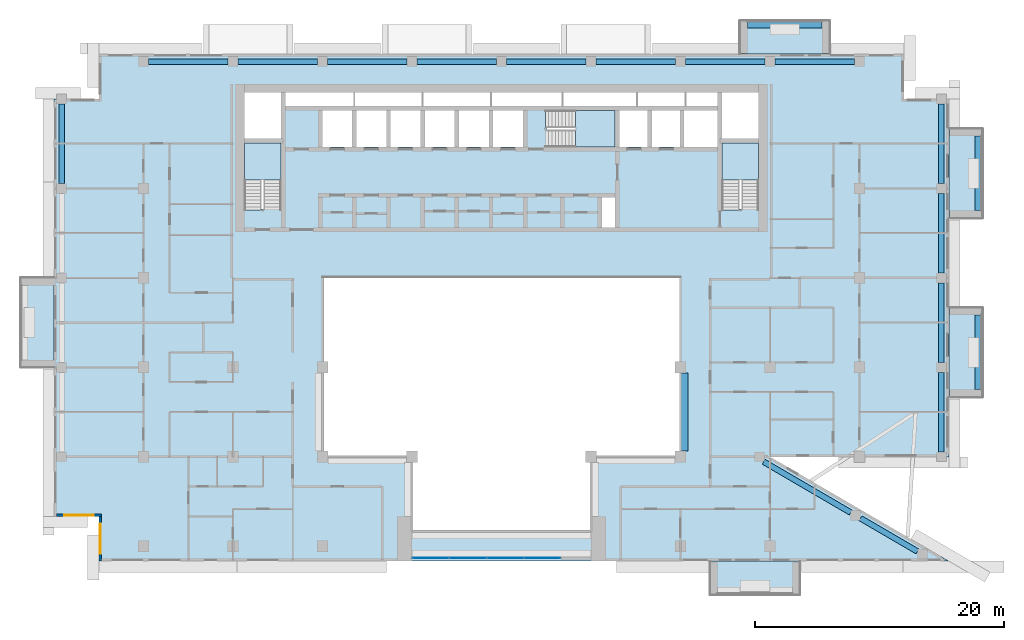
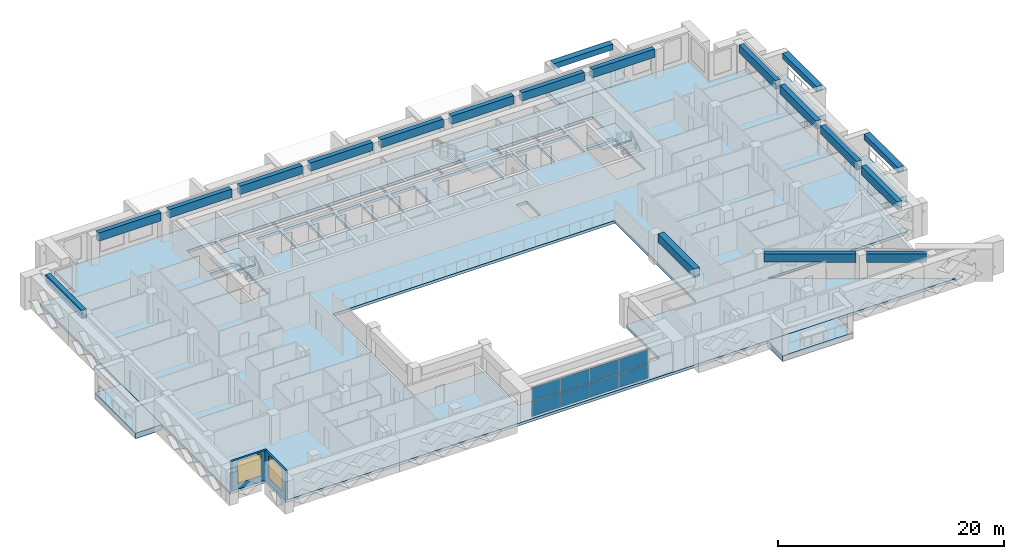
# One storey, part 5 of 20: 19 beams, 9 slabs, 8 plates, 2 walls, 2 windows, 2 openings, 4 elements without a shape of their own.
"""IFC4 building model written with IfcOpenShell, lengths in metres."""

from ifc_helpers import new_model, si_unit, direction, frame, frame_2d, origin, origin_2d, place, context, subcontext, project, spatial, polyline, rectangle, outline, extrude, source, transform, mapped, material, layer, layer_set, material_profile, profile_set, type_object, element, fill, aggregate, save


model = new_model("IFC4")

# Units and contexts
model_context = context("Model", 3, precision=1e-05, world=origin(), true_north=direction((0.0, 1.0)))
body_context = subcontext(model_context, "Body", "Model", "MODEL_VIEW")
ifc_project = project(units=[si_unit("LENGTHUNIT", "METRE"), si_unit("AREAUNIT", "SQUARE_METRE"), si_unit("VOLUMEUNIT", "CUBIC_METRE"), si_unit("PLANEANGLEUNIT", "RADIAN"), si_unit("MASSUNIT", "GRAM", prefix="KILO")], contexts=[model_context])

# Site, building, storey
site_placement = place(None, origin())
site = spatial("IfcSite", under=ifc_project, at=site_placement, CompositionType="ELEMENT")
building_placement = place(site_placement, origin())
building = spatial("IfcBuilding", under=site, at=building_placement, Name="Saffron Iwan Residences", CompositionType="ELEMENT")
storey_placement = place(building_placement, frame((0.0, 0.0, 185.0)))
storey = spatial("IfcBuildingStorey", under=building, at=storey_placement, Name="L49", CompositionType="ELEMENT", Elevation=185.0)

# Beams
ifc_material_1 = material(Name="Concrete C50/60", Category="concrete")
ifc_material_profile_1 = material_profile(ifc_material_1, rectangle(XDim=0.449951171875, YDim=0.89990234375, at=origin_2d()), Name="RC 450x900")
ifc_profile_set_1 = profile_set([ifc_material_profile_1], Name="Concrete C50/60")
beam_type_1 = type_object("IfcBeamType", Name="SPANDREL BEAM RC 450x900 C50/60 TOP 3200", PredefinedType="SPANDREL", material=ifc_profile_set_1)
shared_shape_1 = source(origin(), body_context, "Body", "SweptSolid", [
    extrude(rectangle(XDim=0.449951171875, YDim=0.89990234375, at=origin_2d()), origin(), (0.0, 0.0, 1.0), 5.300537109375),
])
beam_1_placement = place(storey_placement, frame((79.297607421875, 43.04833984375, 2.75), z_axis=(0.86379560586, -0.503842387357, 0.0), x_axis=(0.503842387357, 0.86379560586, 0.0)))
element("IfcBeam", 1, at=beam_1_placement, inside=storey, type_object=beam_type_1, Name="Spandrel beam", PredefinedType="SPANDREL", context=body_context, shape_type="MappedRepresentation", body=[
    mapped(shared_shape_1, transform((0.0, 0.0, 0.0))),
])
shared_shape_2 = source(origin(), body_context, "Body", "SweptSolid", [
    extrude(rectangle(XDim=0.449951171875, YDim=0.89990234375, at=origin_2d()), origin(), (0.0, 0.0, 1.0), 8.107177734375),
])
beam_2_placement = place(storey_placement, frame((71.494873046875, 47.60009765625, 2.75), z_axis=(0.863783269703, -0.503863536071, 0.0), x_axis=(0.503863536071, 0.863783269703, 0.0)))
element("IfcBeam", 2, at=beam_2_placement, inside=storey, type_object=beam_type_1, Name="Spandrel beam", PredefinedType="SPANDREL", context=body_context, shape_type="MappedRepresentation", body=[
    mapped(shared_shape_2, transform((0.0, 0.0, 0.0))),
])
shared_shape_3 = source(origin(), body_context, "Body", "SweptSolid", [
    extrude(rectangle(XDim=0.449951171875, YDim=0.89990234375, at=origin_2d()), origin(), (0.0, 0.0, 1.0), 6.400146484375),
])
for number, where, z_axis, x_axis, name in (
    (3, (85.800048828125, 54.800048828125, 2.75), (0.0, -1.0, 0.0), (1.0, 0.0, 0.0), "Spandrel beam"),
    (4, (29.199951171875, 79.800048828125, 2.75), (1.0, 0.0, 0.0), (0.0, 1.0, 0.0), "Spandrel beam"),
    (5, (36.39990234375, 79.800048828125, 2.75), (1.0, 0.0, 0.0), (0.0, 1.0, 0.0), "Spandrel beam"),
    (6, (65.199951171875, 79.800048828125, 2.75), (1.0, 0.0, 0.0), (0.0, 1.0, 0.0), "Spandrel beam"),
    (7, (72.39990234375, 79.800048828125, 2.75), (1.0, 0.0, 0.0), (0.0, 1.0, 0.0), "Spandrel beam"),
):
    element("IfcBeam", number, at=place(storey_placement, frame(where, z_axis=z_axis, x_axis=x_axis)), inside=storey, type_object=beam_type_1, Name=name, PredefinedType="SPANDREL", context=body_context, shape_type="MappedRepresentation", body=[
        mapped(shared_shape_3, transform((0.0, 0.0, 0.0))),
    ])
shared_shape_4 = source(origin(), body_context, "Body", "SweptSolid", [
    extrude(rectangle(XDim=0.449951171875, YDim=0.89990234375, at=origin_2d()), origin(), (0.0, 0.0, 1.0), 6.39990234375),
])
for number, where, z_axis, x_axis, name in (
    (8, (85.800048828125, 62.0, 2.75), (0.0, -1.0, 0.0), (1.0, 0.0, 0.0), "Spandrel beam"),
    (9, (85.800048828125, 69.199951171875, 2.75), (0.0, -1.0, 0.0), (1.0, 0.0, 0.0), "Spandrel beam"),
    (10, (15.0, 70.0, 2.75), (0.0, 1.0, 0.0), (-1.0, 0.0, 0.0), "Spandrel beam"),
    (11, (85.800048828125, 76.39990234375, 2.75), (0.0, -1.0, 0.0), (1.0, 0.0, 0.0), "Spandrel beam"),
    (12, (22.0, 79.800048828125, 2.75), (1.0, 0.0, 0.0), (0.0, 1.0, 0.0), "Spandrel beam"),
    (13, (43.60009765625, 79.800048828125, 2.75), (1.0, 0.0, 0.0), (0.0, 1.0, 0.0), "Spandrel beam"),
    (14, (50.800048828125, 79.800048828125, 2.75), (1.0, 0.0, 0.0), (0.0, 1.0, 0.0), "Spandrel beam"),
    (15, (58.0, 79.800048828125, 2.75), (1.0, 0.0, 0.0), (0.0, 1.0, 0.0), "Spandrel beam"),
):
    element("IfcBeam", number, at=place(storey_placement, frame(where, z_axis=z_axis, x_axis=x_axis)), inside=storey, type_object=beam_type_1, Name=name, PredefinedType="SPANDREL", context=body_context, shape_type="MappedRepresentation", body=[
        mapped(shared_shape_4, transform((0.0, 0.0, 0.0))),
    ])
ifc_material_profile_2 = material_profile(ifc_material_1, rectangle(XDim=0.60009765625, YDim=0.89990234375, at=origin_2d()), Name="RC 600x900")
ifc_profile_set_2 = profile_set([ifc_material_profile_2], Name="Concrete C50/60")
beam_type_2 = type_object("IfcBeamType", Name="BEAM RC 600x900 C50/60 TOP 3200", PredefinedType="BEAM", material=ifc_profile_set_2)
shared_shape_5 = source(origin(), body_context, "Body", "SweptSolid", [
    extrude(rectangle(XDim=0.60009765625, YDim=0.89990234375, at=origin_2d()), origin(), (0.0, 0.0, 1.0), 6.300048828125),
])
beam_3_placement = place(storey_placement, frame((65.10009765625, 54.75, 2.75), z_axis=(0.0, -1.0, 0.0), x_axis=(1.0, 0.0, 0.0)))
element("IfcBeam", 16, at=beam_3_placement, inside=storey, type_object=beam_type_2, Name="Atrium edge beam", PredefinedType="BEAM", context=body_context, shape_type="MappedRepresentation", body=[
    mapped(shared_shape_5, transform((0.0, 0.0, 0.0))),
])
ifc_material_2 = material(Name="Concrete C50/60 white painted", Category="concrete")
ifc_material_profile_3 = material_profile(ifc_material_2, rectangle(XDim=0.60009765625, YDim=0.60009765625, at=origin_2d()), Name="BALCONY FASCIA BEAM 600 x 600")
ifc_profile_set_3 = profile_set([ifc_material_profile_3], Name="Concrete C50/60 white painted")
beam_type_3 = type_object("IfcBeamType", Name="BALCONY FASCIA BEAM 600 x 600", PredefinedType="BEAM", material=ifc_profile_set_3)
shared_shape_6 = source(origin(), body_context, "Body", "SweptSolid", [
    extrude(rectangle(XDim=0.60009765625, YDim=0.60009765625, at=origin_2d()), origin(), (0.0, 0.0, 1.0), 6.0),
])
for number, where, z_axis, x_axis, name in (
    (17, (88.800048828125, 53.39990234375, 2.550048828125), (0.0, 1.0, 0.0), (-1.0, 0.0, 0.0), "Balcony fascia beam L49 F2-0"),
    (18, (88.800048828125, 67.800048828125, 2.550048828125), (0.0, 1.0, 0.0), (-1.0, 0.0, 0.0), "Balcony fascia beam L49 F2-1"),
    (19, (76.199951171875, 82.800048828125, 2.550048828125), (-1.0, 0.0, 0.0), (0.0, -1.0, 0.0), "Balcony fascia beam L49 F5-0"),
):
    element("IfcBeam", number, at=place(storey_placement, frame(where, z_axis=z_axis, x_axis=x_axis)), inside=storey, type_object=beam_type_3, Name=name, PredefinedType="BEAM", context=body_context, shape_type="MappedRepresentation", body=[
        mapped(shared_shape_6, transform((0.0, 0.0, 0.0))),
    ])

# Slabs
ifc_layer_1 = layer(ifc_material_2, 0.60009765625)
ifc_layer_set_1 = layer_set([ifc_layer_1], Name="Concrete C50/60 white painted")
slab_type_1 = type_object("IfcSlabType", Name="BALCONY FRAME SLAB 600", PredefinedType="FLOOR", material=ifc_layer_set_1)
slab_1_placement = place(storey_placement, frame((0.0, 0.0, -0.60009765625)))
element("IfcSlab", 20, at=slab_1_placement, inside=storey, type_object=slab_type_1, Name="Balcony frame slab L49 F2-0", PredefinedType="FLOOR", context=body_context, shape_type="SweptSolid", body=[
    extrude(outline(polyline([(89.10009765625, 52.800048828125), (89.10009765625, 60.0), (86.39990234375, 60.0), (86.39990234375, 52.800048828125), (89.10009765625, 52.800048828125)])), origin(), (0.0, 0.0, 1.0), 0.60009765625),
])
slab_2_placement = place(storey_placement, frame((0.0, 0.0, -0.60009765625)))
element("IfcSlab", 21, at=slab_2_placement, inside=storey, type_object=slab_type_1, Name="Balcony frame slab L49 F2-1", PredefinedType="FLOOR", context=body_context, shape_type="SweptSolid", body=[
    extrude(outline(polyline([(89.10009765625, 67.199951171875), (89.10009765625, 74.39990234375), (86.39990234375, 74.39990234375), (86.39990234375, 67.199951171875), (89.10009765625, 67.199951171875)])), origin(), (0.0, 0.0, 1.0), 0.60009765625),
])
slab_3_placement = place(storey_placement, frame((0.0, 0.0, -0.60009765625)))
element("IfcSlab", 22, at=slab_3_placement, inside=storey, type_object=slab_type_1, Name="Balcony frame slab L49 F5-0", PredefinedType="FLOOR", context=body_context, shape_type="SweptSolid", body=[
    extrude(outline(polyline([(76.800048828125, 83.10009765625), (69.60009765625, 83.10009765625), (69.60009765625, 80.39990234375), (76.800048828125, 80.39990234375), (76.800048828125, 83.10009765625)])), origin(), (0.0, 0.0, 1.0), 0.60009765625),
])
slab_4_placement = place(storey_placement, frame((0.0, 0.0, -0.60009765625)))
element("IfcSlab", 23, at=slab_4_placement, inside=storey, type_object=slab_type_1, Name="Balcony frame slab L49 F8-0", PredefinedType="FLOOR", context=body_context, shape_type="SweptSolid", body=[
    extrude(outline(polyline([(11.699951171875, 62.39990234375), (11.699951171875, 55.199951171875), (14.39990234375, 55.199951171875), (14.39990234375, 62.39990234375), (11.699951171875, 62.39990234375)])), origin(), (0.0, 0.0, 1.0), 0.60009765625),
])
slab_5_placement = place(storey_placement, frame((0.0, 0.0, -0.60009765625)))
element("IfcSlab", 24, at=slab_5_placement, inside=storey, type_object=slab_type_1, Name="Balcony frame slab L49 11-1", PredefinedType="FLOOR", context=body_context, shape_type="SweptSolid", body=[
    extrude(outline(polyline([(67.199951171875, 36.89990234375), (74.39990234375, 36.89990234375), (74.39990234375, 39.60009765625), (67.199951171875, 39.60009765625), (67.199951171875, 36.89990234375)])), origin(), (0.0, 0.0, 1.0), 0.60009765625),
])
ifc_material_3 = material(Name="Concrete C40/50", Category="concrete")
ifc_layer_2 = layer(ifc_material_3, 0.300048828125)
ifc_layer_set_2 = layer_set([ifc_layer_2], Name="Concrete C40/50")
slab_type_2 = type_object("IfcSlabType", Name="PT PLATE 300 C40/50", PredefinedType="FLOOR", material=ifc_layer_set_2)
slab_6_placement = place(storey_placement, frame((0.0, 0.0, -0.300048828125)))
element("IfcSlab", 25, at=slab_6_placement, inside=storey, type_object=slab_type_2, Name="Floor slab L49", PredefinedType="FLOOR", context=body_context, shape_type="SweptSolid", body=[
    extrude(outline(polyline([(14.39990234375, 43.199951171875), (14.39990234375, 76.800048828125), (18.0, 76.800048828125), (18.0, 80.39990234375), (82.800048828125, 80.39990234375), (82.800048828125, 76.800048828125), (86.39990234375, 76.800048828125), (86.39990234375, 48.0), (72.0, 48.0), (86.39990234375, 39.60009765625), (18.0, 39.60009765625), (18.0, 43.199951171875), (14.39990234375, 43.199951171875)]), holes=[polyline([(64.800048828125, 48.0), (64.800048828125, 62.39990234375), (36.0, 62.39990234375), (36.0, 48.0), (43.199951171875, 48.0), (43.199951171875, 42.0), (57.60009765625, 42.0), (57.60009765625, 48.0), (64.800048828125, 48.0)]), polyline([(29.699951171875, 73.25), (29.699951171875, 67.949951171875), (29.699951171875, 67.8505859375), (31.10009765625, 67.8505859375), (31.10009765625, 67.949951171875), (32.64990234375, 67.949951171875), (32.64990234375, 73.25), (29.699951171875, 73.25)]), polyline([(38.375, 75.875), (35.97509765625, 75.875), (35.97509765625, 72.925048828125), (38.375, 72.925048828125), (38.375, 75.875)]), polyline([(41.125, 75.875), (38.72509765625, 75.875), (38.72509765625, 72.925048828125), (41.125, 72.925048828125), (41.125, 75.875)]), polyline([(43.875, 72.925048828125), (43.875, 75.875), (41.47509765625, 75.875), (41.47509765625, 72.925048828125), (43.875, 72.925048828125)]), polyline([(46.625, 72.925048828125), (46.625, 75.875), (44.22509765625, 75.875), (44.22509765625, 72.925048828125), (46.625, 72.925048828125)]), polyline([(49.375, 75.875), (46.97509765625, 75.875), (46.97509765625, 72.925048828125), (49.375, 72.925048828125), (49.375, 75.875)]), polyline([(52.125, 72.925048828125), (52.125, 75.875), (49.72509765625, 75.875), (49.72509765625, 72.925048828125), (52.125, 72.925048828125)]), polyline([(32.64990234375, 73.60009765625), (32.64990234375, 77.300048828125), (29.699951171875, 77.300048828125), (29.699951171875, 73.60009765625), (32.64990234375, 73.60009765625)]), polyline([(38.5, 77.300048828125), (33.0, 77.300048828125), (33.0, 76.22509765625), (38.5, 76.22509765625), (38.5, 77.300048828125)]), polyline([(44.0, 76.22509765625), (44.0, 77.300048828125), (38.60009765625, 77.300048828125), (38.60009765625, 76.22509765625), (44.0, 76.22509765625)]), polyline([(49.5, 76.22509765625), (49.5, 77.300048828125), (44.10009765625, 77.300048828125), (44.10009765625, 76.22509765625), (49.5, 76.22509765625)]), polyline([(59.550048828125, 68.875), (58.47509765625, 68.875), (58.47509765625, 66.449951171875), (59.550048828125, 66.449951171875), (59.550048828125, 68.875)]), polyline([(68.14990234375, 73.25), (68.14990234375, 67.949951171875), (68.14990234375, 67.8505859375), (69.550048828125, 67.8505859375), (69.550048828125, 67.949951171875), (71.10009765625, 67.949951171875), (71.10009765625, 73.25), (68.14990234375, 73.25)]), polyline([(54.02490234375, 74.47509765625), (54.02490234375, 72.925048828125), (59.550048828125, 72.925048828125), (59.550048828125, 75.875), (54.02490234375, 75.875), (53.925537109375, 75.875), (53.925537109375, 74.47509765625), (54.02490234375, 74.47509765625)]), polyline([(62.14990234375, 72.925048828125), (62.14990234375, 75.875), (59.89990234375, 75.875), (59.89990234375, 72.925048828125), (62.14990234375, 72.925048828125)]), polyline([(64.75, 72.925048828125), (64.75, 75.875), (62.5, 75.875), (62.5, 72.925048828125), (64.75, 72.925048828125)]), polyline([(67.800048828125, 75.875), (65.10009765625, 75.875), (65.10009765625, 72.925048828125), (67.800048828125, 72.925048828125), (67.800048828125, 75.875)]), polyline([(71.10009765625, 73.60009765625), (71.10009765625, 77.300048828125), (68.14990234375, 77.300048828125), (68.14990234375, 73.60009765625), (71.10009765625, 73.60009765625)]), polyline([(55.25, 76.22509765625), (55.25, 77.300048828125), (49.60009765625, 77.300048828125), (49.60009765625, 76.22509765625), (55.25, 76.22509765625)]), polyline([(61.25, 77.300048828125), (55.35009765625, 77.300048828125), (55.35009765625, 76.22509765625), (61.25, 76.22509765625), (61.25, 77.300048828125)]), polyline([(65.14990234375, 76.22509765625), (65.14990234375, 77.300048828125), (61.35009765625, 77.300048828125), (61.35009765625, 76.22509765625), (65.14990234375, 76.22509765625)]), polyline([(67.800048828125, 76.22509765625), (67.800048828125, 77.300048828125), (65.25, 77.300048828125), (65.25, 76.22509765625), (67.800048828125, 76.22509765625)])]), origin(), (0.0, 0.0, 1.0), 0.300048828125),
])

# Stair, slab
stair_type = type_object("IfcStairType", Name="Stair ST-CORE", PredefinedType="HALF_TURN_STAIR", material=ifc_material_1)
stair_1_placement = place(storey_placement, origin())
stair_1 = element("IfcStair", 26, at=stair_1_placement, inside=storey, type_object=stair_type, Name="L49 Exit Stair ST-W", PredefinedType="HALF_TURN_STAIR")
ifc_layer_3 = layer(ifc_material_1, 0.199951171875)
ifc_layer_set_3 = layer_set([ifc_layer_3], Name="Concrete C50/60")
slab_type_3 = type_object("IfcSlabType", Name="Stair landing SL-RC", PredefinedType="LANDING", material=ifc_layer_set_3)
slab_7_placement = place(storey_placement, frame((0.0, 0.0, 1.5498046875)))
slab_7 = element("IfcSlab", 27, at=slab_7_placement, type_object=slab_type_3, Name="ST-W landing 1", PredefinedType="LANDING", context=body_context, shape_type="SweptSolid", body=[
    extrude(outline(polyline([(32.64990234375, 70.280029296875), (32.64990234375, 73.25), (29.699951171875, 73.25), (29.699951171875, 70.280029296875), (32.64990234375, 70.280029296875)])), origin(), (0.0, 0.0, 1.0), 0.2001953125),
])
aggregate(stair_1, [slab_7])

stair_2_placement = place(storey_placement, origin())
stair_2 = element("IfcStair", 28, at=stair_2_placement, inside=storey, type_object=stair_type, Name="L49 Exit Stair ST-C", PredefinedType="HALF_TURN_STAIR")
slab_8_placement = place(storey_placement, frame((0.0, 0.0, 1.5498046875)))
slab_8 = element("IfcSlab", 29, at=slab_8_placement, type_object=slab_type_3, Name="ST-C landing 1", PredefinedType="LANDING", context=body_context, shape_type="SweptSolid", body=[
    extrude(outline(polyline([(56.35498046875, 72.925048828125), (59.550048828125, 72.925048828125), (59.550048828125, 75.875), (56.35498046875, 75.875), (56.35498046875, 72.925048828125)])), origin(), (0.0, 0.0, 1.0), 0.2001953125),
])
aggregate(stair_2, [slab_8])

stair_3_placement = place(storey_placement, origin())
stair_3 = element("IfcStair", 30, at=stair_3_placement, inside=storey, type_object=stair_type, Name="L49 Exit Stair ST-E", PredefinedType="HALF_TURN_STAIR")
slab_9_placement = place(storey_placement, frame((0.0, 0.0, 1.5498046875)))
slab_9 = element("IfcSlab", 31, at=slab_9_placement, type_object=slab_type_3, Name="ST-E landing 1", PredefinedType="LANDING", context=body_context, shape_type="SweptSolid", body=[
    extrude(outline(polyline([(71.10009765625, 70.280029296875), (71.10009765625, 73.25), (68.14990234375, 73.25), (68.14990234375, 70.280029296875), (71.10009765625, 70.280029296875)])), origin(), (0.0, 0.0, 1.0), 0.2001953125),
])
aggregate(stair_3, [slab_9])

# Curtain wall, plates
ifc_material_4 = material(Name="Clear glass, laminated double glazed", Category="glass")
ifc_layer_4 = layer(ifc_material_4, 0.199951171875)
ifc_layer_set_4 = layer_set([ifc_layer_4], Name="Clear glass, laminated double glazed")
curtain_wall_type = type_object("IfcCurtainWallType", Name="CW-B IWAN PORTAL", PredefinedType="NOTDEFINED", material=ifc_layer_set_4)
curtain_wall_placement = place(storey_placement, origin())
curtain_wall = element("IfcCurtainWall", 32, at=curtain_wall_placement, inside=storey, type_object=curtain_wall_type, Name="Iwan portal glazing L49.1", PredefinedType="NOTDEFINED")
ifc_layer_5 = layer(ifc_material_4, 0.028076171875)
ifc_layer_set_5 = layer_set([ifc_layer_5], Name="Clear glass, laminated double glazed")
plate_type = type_object("IfcPlateType", Name="CW-B PANEL 28", PredefinedType="CURTAIN_PANEL", material=ifc_layer_set_5)
shared_shape_7 = source(origin(), body_context, "Body", "SweptSolid", [
    extrude(rectangle(XDim=2.909912109375, YDim=0.028076171875, at=origin_2d()), origin(), (0.0, 0.0, 1.0), 1.510009765625),
])
plate_1_placement = place(storey_placement, frame((44.715087890625, 39.85009765625, 0.06005859375), z_axis=(0.0, 0.0, 1.0), x_axis=(1.0, 0.0, 0.0)))
plate_1 = element("IfcPlate", 33, at=plate_1_placement, type_object=plate_type, Name="CW-B panel 1.1", PredefinedType="CURTAIN_PANEL", context=body_context, shape_type="MappedRepresentation", body=[
    mapped(shared_shape_7, transform((0.0, 0.0, 0.0))),
])
plate_2_placement = place(storey_placement, frame((44.715087890625, 39.85009765625, 1.6298828125), z_axis=(0.0, 0.0, 1.0), x_axis=(1.0, 0.0, 0.0)))
plate_2 = element("IfcPlate", 34, at=plate_2_placement, type_object=plate_type, Name="CW-B panel 1.2", PredefinedType="CURTAIN_PANEL", context=body_context, shape_type="MappedRepresentation", body=[
    mapped(shared_shape_7, transform((0.0, 0.0, 0.0))),
])
plate_3_placement = place(storey_placement, frame((53.68505859375, 39.85009765625, 0.06005859375), z_axis=(0.0, 0.0, 1.0), x_axis=(1.0, 0.0, 0.0)))
plate_3 = element("IfcPlate", 35, at=plate_3_placement, type_object=plate_type, Name="CW-B panel 4.1", PredefinedType="CURTAIN_PANEL", context=body_context, shape_type="MappedRepresentation", body=[
    mapped(shared_shape_7, transform((0.0, 0.0, 0.0))),
])
plate_4_placement = place(storey_placement, frame((53.68505859375, 39.85009765625, 1.6298828125), z_axis=(0.0, 0.0, 1.0), x_axis=(1.0, 0.0, 0.0)))
plate_4 = element("IfcPlate", 36, at=plate_4_placement, type_object=plate_type, Name="CW-B panel 4.2", PredefinedType="CURTAIN_PANEL", context=body_context, shape_type="MappedRepresentation", body=[
    mapped(shared_shape_7, transform((0.0, 0.0, 0.0))),
])
shared_shape_8 = source(origin(), body_context, "Body", "SweptSolid", [
    extrude(rectangle(XDim=2.93994140625, YDim=0.028076171875, at=origin_2d()), origin(), (0.0, 0.0, 1.0), 1.510009765625),
])
plate_5_placement = place(storey_placement, frame((47.699951171875, 39.85009765625, 0.06005859375), z_axis=(0.0, 0.0, 1.0), x_axis=(1.0, 0.0, 0.0)))
plate_5 = element("IfcPlate", 37, at=plate_5_placement, type_object=plate_type, Name="CW-B panel 2.1", PredefinedType="CURTAIN_PANEL", context=body_context, shape_type="MappedRepresentation", body=[
    mapped(shared_shape_8, transform((0.0, 0.0, 0.0))),
])
plate_6_placement = place(storey_placement, frame((47.699951171875, 39.85009765625, 1.6298828125), z_axis=(0.0, 0.0, 1.0), x_axis=(1.0, 0.0, 0.0)))
plate_6 = element("IfcPlate", 38, at=plate_6_placement, type_object=plate_type, Name="CW-B panel 2.2", PredefinedType="CURTAIN_PANEL", context=body_context, shape_type="MappedRepresentation", body=[
    mapped(shared_shape_8, transform((0.0, 0.0, 0.0))),
])
plate_7_placement = place(storey_placement, frame((50.699951171875, 39.85009765625, 0.06005859375), z_axis=(0.0, 0.0, 1.0), x_axis=(1.0, 0.0, 0.0)))
plate_7 = element("IfcPlate", 39, at=plate_7_placement, type_object=plate_type, Name="CW-B panel 3.1", PredefinedType="CURTAIN_PANEL", context=body_context, shape_type="MappedRepresentation", body=[
    mapped(shared_shape_8, transform((0.0, 0.0, 0.0))),
])
plate_8_placement = place(storey_placement, frame((50.699951171875, 39.85009765625, 1.6298828125), z_axis=(0.0, 0.0, 1.0), x_axis=(1.0, 0.0, 0.0)))
plate_8 = element("IfcPlate", 40, at=plate_8_placement, type_object=plate_type, Name="CW-B panel 3.2", PredefinedType="CURTAIN_PANEL", context=body_context, shape_type="MappedRepresentation", body=[
    mapped(shared_shape_8, transform((0.0, 0.0, 0.0))),
])
aggregate(curtain_wall, [plate_1, plate_2, plate_5, plate_6, plate_7, plate_8, plate_3, plate_4])

# Wall, opening, window
ifc_layer_6 = layer(ifc_material_3, 0.199951171875)
ifc_layer_set_6 = layer_set([ifc_layer_6], Name="Concrete C40/50")
wall_type = type_object("IfcWallType", Name="EXTERNAL WALL 200", PredefinedType="SOLIDWALL", material=ifc_layer_set_6)
wall_1_placement = place(storey_placement, frame((14.60009765625, 43.300048828125, 0.0), z_axis=(0.0, 0.0, 1.0), x_axis=(1.0, 0.0, 0.0)))
wall_1 = element("IfcWall", 41, at=wall_1_placement, inside=storey, type_object=wall_type, Name="External wall L49 F9.0", PredefinedType="SOLIDWALL", context=body_context, shape_type="SweptSolid", body=[
    extrude(rectangle(XDim=3.599853515625, YDim=0.199951171875, at=frame_2d((1.7998046875, 0.0))), origin(), (0.0, 0.0, 1.0), 3.199951171875),
])
opening_1_placement = place(wall_1_placement, frame((0.60009765625, 0.0, 0.60009765625)))
opening_1 = element("IfcOpeningElement", 42, at=opening_1_placement, cuts=wall_1, Name="Opening W1", PredefinedType="OPENING", context=body_context, shape_type="SweptSolid", body=[
    extrude(rectangle(XDim=2.39990234375, YDim=2.39990234375, at=frame_2d((1.199951171875, 1.199951171875))), frame((0.0, 0.10986328125, 0.0), z_axis=(0.0, -1.0, 0.0), x_axis=(1.0, 0.0, 0.0)), (0.0, 0.0, 1.0), 0.219970703125),
])
window_type = type_object("IfcWindowType", Name="WINDOW 2400 x 2400", PartitioningType="DOUBLE_PANEL_VERTICAL", PredefinedType="WINDOW", material=ifc_material_4)
window_1_placement = place(opening_1_placement, origin())
window_1 = element("IfcWindow", 43, at=window_1_placement, inside=storey, type_object=window_type, Name="Window L49 F9.0", OverallHeight=2.39990234375, OverallWidth=2.39990234375, PartitioningType="DOUBLE_PANEL_VERTICAL", PredefinedType="WINDOW", context=body_context, shape_type="SweptSolid", body=[
    extrude(rectangle(XDim=2.39990234375, YDim=2.39990234375, at=frame_2d((1.199951171875, 1.199951171875))), frame((0.0, 0.030029296875, 0.0), z_axis=(0.0, -1.0, 0.0), x_axis=(1.0, 0.0, 0.0)), (0.0, 0.0, 1.0), 0.06005859375),
])
fill(opening_1, window_1)

wall_2_placement = place(storey_placement, frame((18.10009765625, 43.199951171875, 0.0), z_axis=(0.0, 0.0, 1.0), x_axis=(0.0, -1.0, 0.0)))
wall_2 = element("IfcWall", 44, at=wall_2_placement, inside=storey, type_object=wall_type, Name="External wall L49 F10.0", PredefinedType="SOLIDWALL", context=body_context, shape_type="SweptSolid", body=[
    extrude(rectangle(XDim=3.599853515625, YDim=0.199951171875, at=frame_2d((1.7998046875, 0.0))), origin(), (0.0, 0.0, 1.0), 3.199951171875),
])
opening_2_placement = place(wall_2_placement, frame((0.60009765625, 0.0, 0.60009765625)))
opening_2 = element("IfcOpeningElement", 45, at=opening_2_placement, cuts=wall_2, Name="Opening W1", PredefinedType="OPENING", context=body_context, shape_type="SweptSolid", body=[
    extrude(rectangle(XDim=2.39990234375, YDim=2.39990234375, at=frame_2d((1.199951171875, 1.199951171875))), frame((0.0, 0.10986328125, 0.0), z_axis=(0.0, -1.0, 0.0), x_axis=(1.0, 0.0, 0.0)), (0.0, 0.0, 1.0), 0.219970703125),
])
window_2_placement = place(opening_2_placement, origin())
window_2 = element("IfcWindow", 46, at=window_2_placement, inside=storey, type_object=window_type, Name="Window L49 F10.0", OverallHeight=2.39990234375, OverallWidth=2.39990234375, PartitioningType="DOUBLE_PANEL_VERTICAL", PredefinedType="WINDOW", context=body_context, shape_type="SweptSolid", body=[
    extrude(rectangle(XDim=2.39990234375, YDim=2.39990234375, at=frame_2d((1.199951171875, 1.199951171875))), frame((0.0, 0.030029296875, 0.0), z_axis=(0.0, -1.0, 0.0), x_axis=(1.0, 0.0, 0.0)), (0.0, 0.0, 1.0), 0.06005859375),
])
fill(opening_2, window_2)

save(model, "model.ifc")
